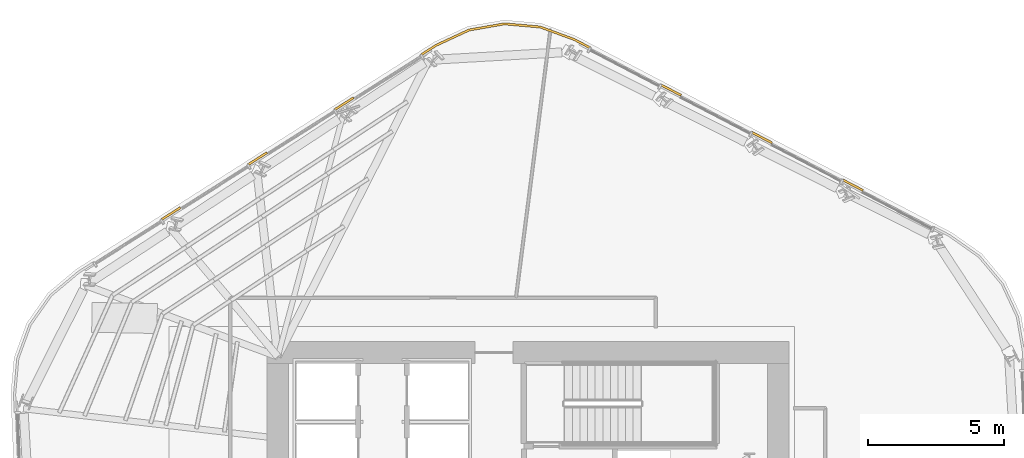
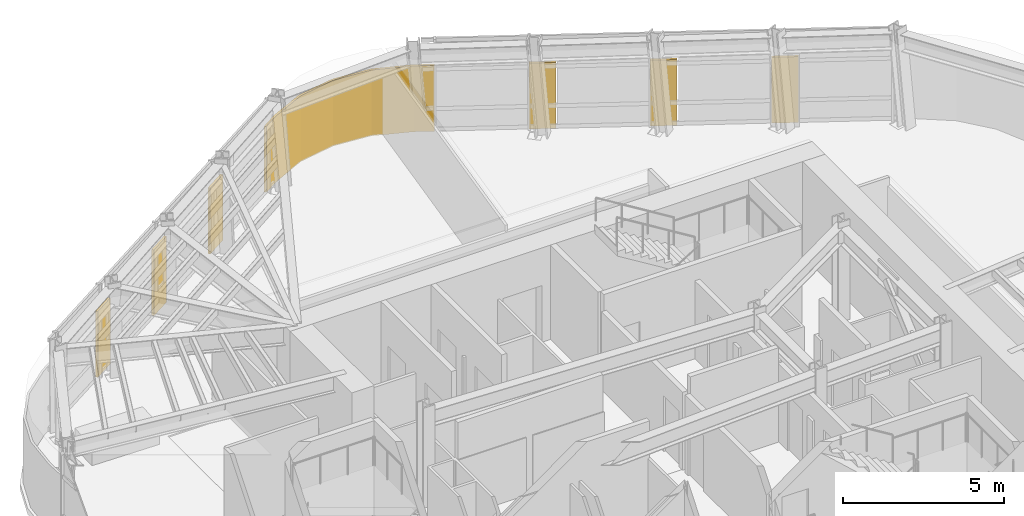
# One storey, part 14 of 15: 7 coverings.
"""IFC4 building model written with IfcOpenShell, lengths in metres."""

from ifc_helpers import new_model, si_unit, direction, frame, origin, place, context, subcontext, project, spatial, polyline, outline, extrude, material, layer, layer_set, type_object, element, save


model = new_model("IFC4")

# Units and contexts
model_context = context("Model", 3, precision=1e-05, world=origin(), true_north=direction((0.0, 1.0)))
body_context = subcontext(model_context, "Body", "Model", "MODEL_VIEW")
ifc_project = project(units=[si_unit("LENGTHUNIT", "METRE"), si_unit("AREAUNIT", "SQUARE_METRE"), si_unit("VOLUMEUNIT", "CUBIC_METRE"), si_unit("PLANEANGLEUNIT", "RADIAN"), si_unit("MASSUNIT", "GRAM", prefix="KILO")], contexts=[model_context])

# Site, building, storey
site_placement = place(None, origin())
site = spatial("IfcSite", under=ifc_project, at=site_placement, CompositionType="ELEMENT")
building_placement = place(site_placement, origin())
building = spatial("IfcBuilding", under=site, at=building_placement, Name="Valkerne Bourse Tower", CompositionType="ELEMENT")
storey_placement = place(building_placement, frame((0.0, 0.0, 162.800048828125)))
storey = spatial("IfcBuildingStorey", under=building, at=storey_placement, Name="L41", CompositionType="ELEMENT", Elevation=162.800048828125)

# Coverings
ifc_material = material(Name="Bronze Anodised Aluminium AA 6063-T6", Category="aluminium")
ifc_layer = layer(ifc_material, 0.06005859375)
ifc_layer_set = layer_set([ifc_layer], Name="Bronze Anodised Aluminium AA 6063-T6")
covering_type = type_object("IfcCoveringType", Name="COV-CRN-ALUM", PredefinedType="CLADDING", material=ifc_layer_set)
covering_1_placement = place(storey_placement, origin())
element("IfcCovering", 1, at=covering_1_placement, inside=storey, type_object=covering_type, Name="L41 Wind-Shaped Corner Aluminium Cladding 14", PredefinedType="CLADDING", context=body_context, shape_type="SweptSolid", body=[
    extrude(outline(polyline([(34.0009765625, 40.9140625), (34.043701171875, 40.8466796875), (33.334716796875, 40.396484375), (33.291748046875, 40.464111328125), (34.0009765625, 40.9140625)])), origin(), (0.0, 0.0, 1.0), 2.5),
])
covering_2_placement = place(storey_placement, origin())
element("IfcCovering", 2, at=covering_2_placement, inside=storey, type_object=covering_type, Name="L41 Wind-Shaped Corner Aluminium Cladding 15", PredefinedType="CLADDING", context=body_context, shape_type="SweptSolid", body=[
    extrude(outline(polyline([(37.184814453125, 42.934814453125), (37.227783203125, 42.8671875), (36.5185546875, 42.4169921875), (36.4755859375, 42.484619140625), (37.184814453125, 42.934814453125)])), origin(), (0.0, 0.0, 1.0), 2.5),
])
covering_3_placement = place(storey_placement, origin())
element("IfcCovering", 3, at=covering_3_placement, inside=storey, type_object=covering_type, Name="L41 Wind-Shaped Corner Aluminium Cladding 16", PredefinedType="CLADDING", context=body_context, shape_type="SweptSolid", body=[
    extrude(outline(polyline([(40.368896484375, 44.955322265625), (40.41162109375, 44.8876953125), (39.702392578125, 44.437744140625), (39.65966796875, 44.505126953125), (40.368896484375, 44.955322265625)])), origin(), (0.0, 0.0, 1.0), 2.5),
])
covering_4_placement = place(storey_placement, origin())
element("IfcCovering", 4, at=covering_4_placement, inside=storey, type_object=covering_type, Name="L41 Wind-Shaped Corner Aluminium Cladding 17", PredefinedType="CLADDING", context=body_context, shape_type="SweptSolid", body=[
    extrude(outline(polyline([(43.40869140625, 46.884521484375), (44.6220703125, 47.44775390625), (45.933349609375, 47.676513671875), (47.25927734375, 47.55810546875), (48.515625, 47.098388671875), (49.108642578125, 46.788330078125), (49.071533203125, 46.717529296875), (48.483154296875, 47.025146484375), (47.24169921875, 47.4794921875), (45.936767578125, 47.595947265625), (44.646240234375, 47.37060546875), (43.447021484375, 46.814208984375), (42.886474609375, 46.458251953125), (42.843505859375, 46.52587890625), (43.40869140625, 46.884521484375)])), origin(), (0.0, 0.0, 1.0), 2.5),
])
covering_5_placement = place(storey_placement, origin())
element("IfcCovering", 5, at=covering_5_placement, inside=storey, type_object=covering_type, Name="L41 Wind-Shaped Corner Aluminium Cladding 18", PredefinedType="CLADDING", context=body_context, shape_type="SweptSolid", body=[
    extrude(outline(polyline([(52.450439453125, 45.04150390625), (52.413330078125, 44.970458984375), (51.6689453125, 45.359619140625), (51.7060546875, 45.430419921875), (52.450439453125, 45.04150390625)])), origin(), (0.0, 0.0, 1.0), 2.5),
])
covering_6_placement = place(storey_placement, origin())
element("IfcCovering", 6, at=covering_6_placement, inside=storey, type_object=covering_type, Name="L41 Wind-Shaped Corner Aluminium Cladding 19", PredefinedType="CLADDING", context=body_context, shape_type="SweptSolid", body=[
    extrude(outline(polyline([(55.79248046875, 43.294189453125), (55.75537109375, 43.223388671875), (55.010986328125, 43.612548828125), (55.0478515625, 43.683349609375), (55.79248046875, 43.294189453125)])), origin(), (0.0, 0.0, 1.0), 2.5),
])
covering_7_placement = place(storey_placement, origin())
element("IfcCovering", 7, at=covering_7_placement, inside=storey, type_object=covering_type, Name="L41 Wind-Shaped Corner Aluminium Cladding 20", PredefinedType="CLADDING", context=body_context, shape_type="SweptSolid", body=[
    extrude(outline(polyline([(59.13427734375, 41.547119140625), (59.09716796875, 41.476318359375), (58.352783203125, 41.865478515625), (58.389892578125, 41.936279296875), (59.13427734375, 41.547119140625)])), origin(), (0.0, 0.0, 1.0), 2.5),
])

save(model, "model.ifc")
